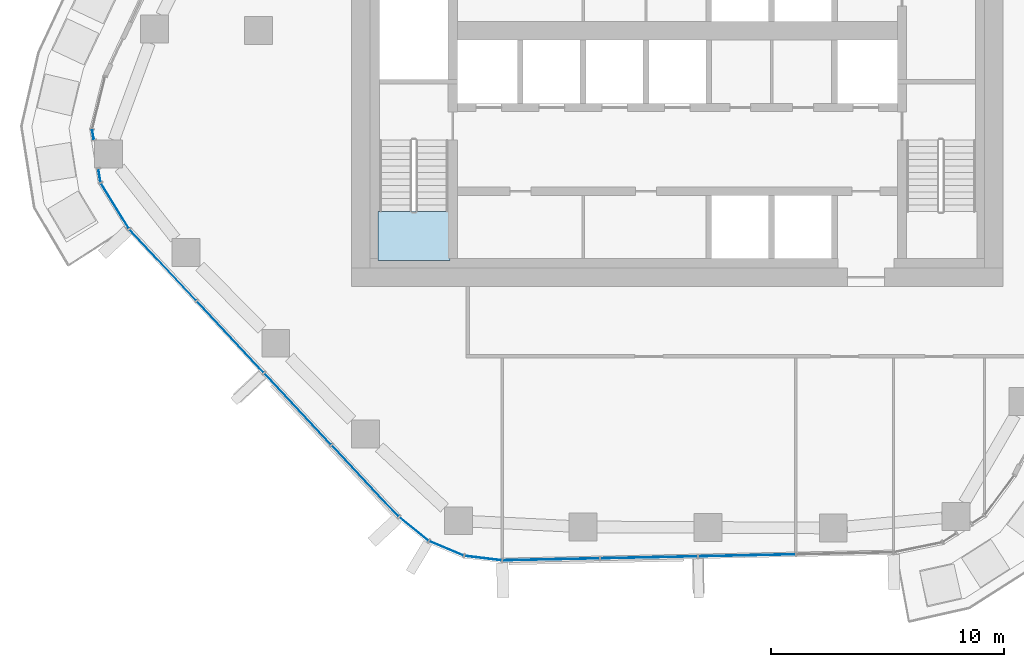
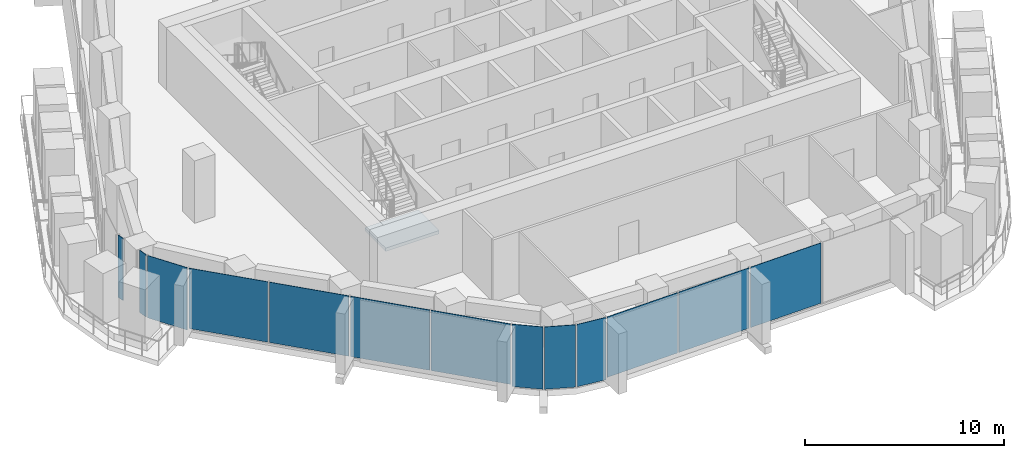
# One storey, part 8 of 18: 13 plates, 1 slab, 6 elements without a shape of their own.
"""IFC4 building model written with IfcOpenShell, lengths in metres."""

from ifc_helpers import new_model, si_unit, direction, frame, origin, origin_2d, place, context, subcontext, project, spatial, polyline, rectangle, outline, extrude, material, layer, layer_set, type_object, element, aggregate, save


model = new_model("IFC4")

# Units and contexts
model_context = context("Model", 3, precision=1e-05, world=origin(), true_north=direction((0.0, 1.0)))
body_context = subcontext(model_context, "Body", "Model", "MODEL_VIEW")
ifc_project = project(units=[si_unit("LENGTHUNIT", "METRE"), si_unit("AREAUNIT", "SQUARE_METRE"), si_unit("VOLUMEUNIT", "CUBIC_METRE"), si_unit("PLANEANGLEUNIT", "RADIAN"), si_unit("MASSUNIT", "GRAM", prefix="KILO")], contexts=[model_context])

# Site, building, storey
site_placement = place(None, origin())
site = spatial("IfcSite", under=ifc_project, at=site_placement, CompositionType="ELEMENT")
building_placement = place(site_placement, origin())
building = spatial("IfcBuilding", under=site, at=building_placement, Name="Dongbaek Canopy Tower", CompositionType="ELEMENT")
storey_placement = place(building_placement, frame((0.0, 0.0, 162.800048828125)))
storey = spatial("IfcBuildingStorey", under=building, at=storey_placement, Name="L35", CompositionType="ELEMENT", Elevation=162.800048828125)

# Curtain wall, plate
ifc_material_1 = material(Name="Aluminium 6063-T6 pale anodised", Category="aluminium")
ifc_layer_1 = layer(ifc_material_1, 0.199951171875)
ifc_layer_set_1 = layer_set([ifc_layer_1], Name="CW-1 unitised tower curtain wall")
curtain_wall_type = type_object("IfcCurtainWallType", Name="CW-1 unitised tower curtain wall", PredefinedType="NOTDEFINED", material=ifc_layer_set_1)
curtain_wall_1_placement = place(storey_placement, origin())
curtain_wall_1 = element("IfcCurtainWall", 1, at=curtain_wall_1_placement, inside=storey, type_object=curtain_wall_type, Name="CW-1 curtain wall K3.1a", PredefinedType="NOTDEFINED")
ifc_material_2 = material(Name="Clear laminated glass", Category="glass")
ifc_layer_2 = layer(ifc_material_2, 0.028076171875)
ifc_layer_set_2 = layer_set([ifc_layer_2], Name="CW-1 glazed panel 28")
plate_type = type_object("IfcPlateType", Name="CW-1 glazed panel 28", PredefinedType="CURTAIN_PANEL", material=ifc_layer_set_2)
plate_1_placement = place(storey_placement, frame((-25.111083984375, -4.4677734375, 0.0), z_axis=(0.0, 0.0, 1.0), x_axis=(0.155710029436, -0.987802807616, 0.0)))
plate_1 = element("IfcPlate", 2, at=plate_1_placement, type_object=plate_type, Name="CW-1 panel K3.1a.2.1", PredefinedType="CURTAIN_PANEL", context=body_context, shape_type="SweptSolid", body=[
    extrude(rectangle(XDim=0.386474609375, YDim=0.028076171875, at=origin_2d()), origin(), (0.0, 0.0, 1.0), 3.820068359375),
])
aggregate(curtain_wall_1, [plate_1])

# Curtain wall, plates
curtain_wall_2_placement = place(storey_placement, origin())
curtain_wall_2 = element("IfcCurtainWall", 3, at=curtain_wall_2_placement, inside=storey, type_object=curtain_wall_type, Name="CW-1 curtain wall K3.1b", PredefinedType="NOTDEFINED")
plate_2_placement = place(storey_placement, frame((-24.833984375, -6.225830078125, 0.0), z_axis=(0.0, 0.0, 1.0), x_axis=(0.155710029436, -0.987802807616, 0.0)))
plate_2 = element("IfcPlate", 4, at=plate_2_placement, type_object=plate_type, Name="CW-1 panel K3.1b.1.1", PredefinedType="CURTAIN_PANEL", context=body_context, shape_type="SweptSolid", body=[
    extrude(rectangle(XDim=0.547119140625, YDim=0.028076171875, at=origin_2d()), origin(), (0.0, 0.0, 1.0), 3.820068359375),
])
plate_3_placement = place(storey_placement, frame((-24.1689453125, -7.532958984375, 0.0), z_axis=(0.0, 0.0, 1.0), x_axis=(0.526184480148, -0.850370444483, 0.0)))
plate_3 = element("IfcPlate", 5, at=plate_3_placement, type_object=plate_type, Name="CW-1 panel K3.1b.2.1", PredefinedType="CURTAIN_PANEL", context=body_context, shape_type="SweptSolid", body=[
    extrude(rectangle(XDim=2.2568359375, YDim=0.028076171875, at=origin_2d()), origin(), (0.0, 0.0, 1.0), 3.820068359375),
])
aggregate(curtain_wall_2, [plate_2, plate_3])

curtain_wall_3_placement = place(storey_placement, origin())
curtain_wall_3 = element("IfcCurtainWall", 6, at=curtain_wall_3_placement, inside=storey, type_object=curtain_wall_type, Name="CW-1 curtain wall F3.1", PredefinedType="NOTDEFINED")
plate_4_placement = place(storey_placement, frame((-22.1064453125, -10.07177734375, 0.1201171875), z_axis=(0.0, 0.0, 1.0), x_axis=(0.683822010811, -0.729648859062, 0.0)))
plate_4 = element("IfcPlate", 7, at=plate_4_placement, type_object=plate_type, Name="CW-1 panel F3.1.1.1", PredefinedType="CURTAIN_PANEL", context=body_context, shape_type="SweptSolid", body=[
    extrude(rectangle(XDim=4.147216796875, YDim=0.028076171875, at=origin_2d()), origin(), (0.0, 0.0, 1.0), 3.699951171875),
])
plate_5_placement = place(storey_placement, frame((-19.209716796875, -13.162841796875, 0.1201171875), z_axis=(0.0, 0.0, 1.0), x_axis=(0.683822010811, -0.729648859062, 0.0)))
plate_5 = element("IfcPlate", 8, at=plate_5_placement, type_object=plate_type, Name="CW-1 panel F3.1.2.1", PredefinedType="CURTAIN_PANEL", context=body_context, shape_type="SweptSolid", body=[
    extrude(rectangle(XDim=4.1572265625, YDim=0.028076171875, at=origin_2d()), origin(), (0.0, 0.0, 1.0), 3.699951171875),
])
plate_6_placement = place(storey_placement, frame((-16.309326171875, -16.25732421875, 0.1201171875), z_axis=(0.0, 0.0, 1.0), x_axis=(0.683822010811, -0.729648859062, 0.0)))
plate_6 = element("IfcPlate", 9, at=plate_6_placement, type_object=plate_type, Name="CW-1 panel F3.1.3.1", PredefinedType="CURTAIN_PANEL", context=body_context, shape_type="SweptSolid", body=[
    extrude(rectangle(XDim=4.1572265625, YDim=0.028076171875, at=origin_2d()), origin(), (0.0, 0.0, 1.0), 3.699951171875),
])
plate_7_placement = place(storey_placement, frame((-13.41162109375, -19.349365234375, 0.1201171875), z_axis=(0.0, 0.0, 1.0), x_axis=(0.683822010811, -0.729648859062, 0.0)))
plate_7 = element("IfcPlate", 10, at=plate_7_placement, type_object=plate_type, Name="CW-1 panel F3.1.4.1", PredefinedType="CURTAIN_PANEL", context=body_context, shape_type="SweptSolid", body=[
    extrude(rectangle(XDim=4.150146484375, YDim=0.028076171875, at=origin_2d()), origin(), (0.0, 0.0, 1.0), 3.699951171875),
])
aggregate(curtain_wall_3, [plate_4, plate_5, plate_6, plate_7])

curtain_wall_4_placement = place(storey_placement, origin())
curtain_wall_4 = element("IfcCurtainWall", 11, at=curtain_wall_4_placement, inside=storey, type_object=curtain_wall_type, Name="CW-1 curtain wall K4.1", PredefinedType="NOTDEFINED")
plate_8_placement = place(storey_placement, frame((-11.3212890625, -21.41162109375, 0.0), z_axis=(0.0, 0.0, 1.0), x_axis=(0.778773820364, -0.627304819618, 0.0)))
plate_8 = element("IfcPlate", 12, at=plate_8_placement, type_object=plate_type, Name="CW-1 panel K4.1.1.1", PredefinedType="CURTAIN_PANEL", context=body_context, shape_type="SweptSolid", body=[
    extrude(rectangle(XDim=1.566162109375, YDim=0.028076171875, at=origin_2d()), origin(), (0.0, 0.0, 1.0), 3.820068359375),
])
plate_9_placement = place(storey_placement, frame((-9.921630859375, -22.248291015625, 0.0), z_axis=(0.0, 0.0, 1.0), x_axis=(0.921587391877, -0.388170940609, 0.0)))
plate_9 = element("IfcPlate", 13, at=plate_9_placement, type_object=plate_type, Name="CW-1 panel K4.1.2.1", PredefinedType="CURTAIN_PANEL", context=body_context, shape_type="SweptSolid", body=[
    extrude(rectangle(XDim=1.55908203125, YDim=0.028076171875, at=origin_2d()), origin(), (0.0, 0.0, 1.0), 3.820068359375),
])
plate_10_placement = place(storey_placement, frame((-8.34521484375, -22.665283203125, 0.0), z_axis=(0.0, 0.0, 1.0), x_axis=(0.992903542336, -0.11892247734, 0.0)))
plate_10 = element("IfcPlate", 14, at=plate_10_placement, type_object=plate_type, Name="CW-1 panel K4.1.3.1", PredefinedType="CURTAIN_PANEL", context=body_context, shape_type="SweptSolid", body=[
    extrude(rectangle(XDim=1.566162109375, YDim=0.028076171875, at=origin_2d()), origin(), (0.0, 0.0, 1.0), 3.820068359375),
])
aggregate(curtain_wall_4, [plate_8, plate_9, plate_10])

curtain_wall_5_placement = place(storey_placement, origin())
curtain_wall_5 = element("IfcCurtainWall", 15, at=curtain_wall_5_placement, inside=storey, type_object=curtain_wall_type, Name="CW-1 curtain wall F4.1", PredefinedType="NOTDEFINED")
plate_11_placement = place(storey_placement, frame((-5.42626953125, -22.72021484375, 0.1201171875), z_axis=(0.0, 0.0, 1.0), x_axis=(0.999789551029, 0.020514717954, 0.0)))
plate_11 = element("IfcPlate", 16, at=plate_11_placement, type_object=plate_type, Name="CW-1 panel F4.1.1.1", PredefinedType="CURTAIN_PANEL", context=body_context, shape_type="SweptSolid", body=[
    extrude(rectangle(XDim=4.116455078125, YDim=0.028076171875, at=origin_2d()), origin(), (0.0, 0.0, 1.0), 3.699951171875),
])
plate_12_placement = place(storey_placement, frame((-1.22314453125, -22.634033203125, 0.1201171875), z_axis=(0.0, 0.0, 1.0), x_axis=(0.999789551029, 0.020514717954, 0.0)))
plate_12 = element("IfcPlate", 17, at=plate_12_placement, type_object=plate_type, Name="CW-1 panel F4.1.2.1", PredefinedType="CURTAIN_PANEL", context=body_context, shape_type="SweptSolid", body=[
    extrude(rectangle(XDim=4.12353515625, YDim=0.028076171875, at=origin_2d()), origin(), (0.0, 0.0, 1.0), 3.699951171875),
])
plate_13_placement = place(storey_placement, frame((2.9833984375, -22.547607421875, 0.1201171875), z_axis=(0.0, 0.0, 1.0), x_axis=(0.999789551029, 0.020514717954, 0.0)))
plate_13 = element("IfcPlate", 18, at=plate_13_placement, type_object=plate_type, Name="CW-1 panel F4.1.3.1", PredefinedType="CURTAIN_PANEL", context=body_context, shape_type="SweptSolid", body=[
    extrude(rectangle(XDim=4.12353515625, YDim=0.028076171875, at=origin_2d()), origin(), (0.0, 0.0, 1.0), 3.699951171875),
])
aggregate(curtain_wall_5, [plate_11, plate_12, plate_13])

# Stair, slab
ifc_material_3 = material(Name="Concrete C40/50", Category="concrete")
stair_type = type_object("IfcStairType", Name="Core exit stair", PredefinedType="HALF_TURN_STAIR", material=ifc_material_3)
stair_placement = place(storey_placement, origin())
stair = element("IfcStair", 19, at=stair_placement, inside=storey, type_object=stair_type, Name="L35 exit stair D", PredefinedType="HALF_TURN_STAIR")
ifc_material_4 = material(Name="Concrete C40/50", Category="concrete")
ifc_layer_3 = layer(ifc_material_4, 0.199951171875)
ifc_layer_set_3 = layer_set([ifc_layer_3], Name="Core stair landing 200")
slab_type = type_object("IfcSlabType", Name="Core stair landing 200", PredefinedType="LANDING", material=ifc_layer_set_3)
slab_placement = place(storey_placement, frame((0.0, 0.0, 1.89990234375)))
slab = element("IfcSlab", 20, at=slab_placement, type_object=slab_type, Name="ST-D landing 1", PredefinedType="LANDING", context=body_context, shape_type="SweptSolid", body=[
    extrude(outline(polyline([(-12.875, -7.780029296875), (-12.875, -9.875), (-9.77490234375, -9.875), (-9.77490234375, -7.780029296875), (-12.875, -7.780029296875)])), origin(), (0.0, 0.0, 1.0), 0.199951171875),
])
aggregate(stair, [slab])

save(model, "model.ifc")
